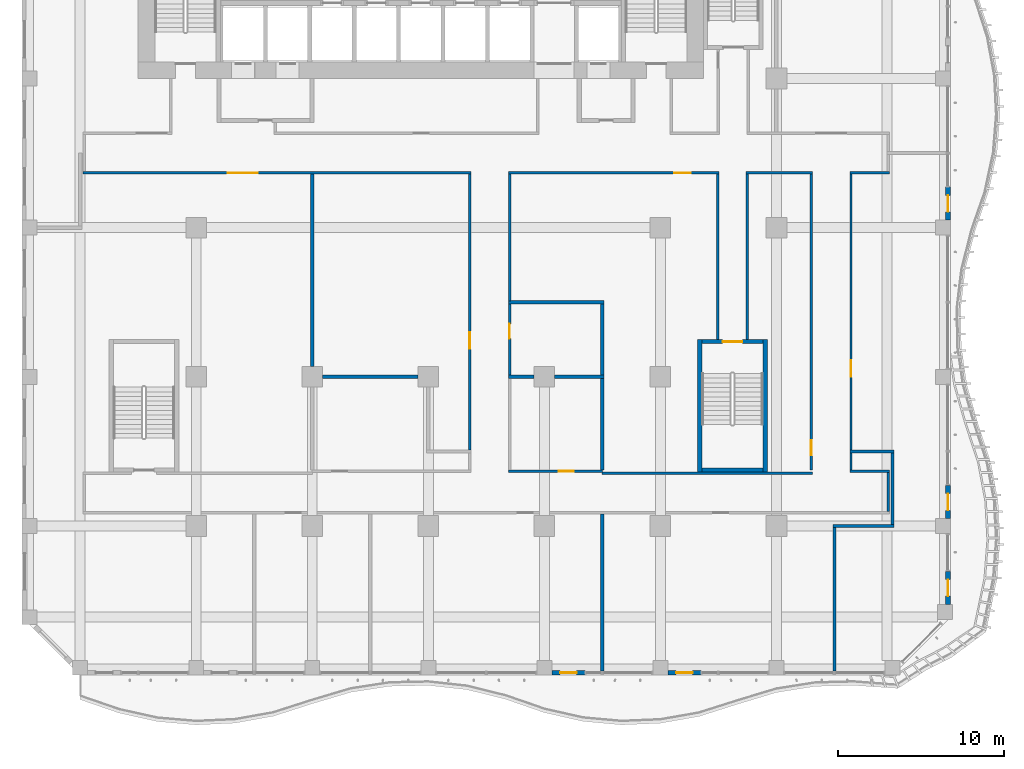
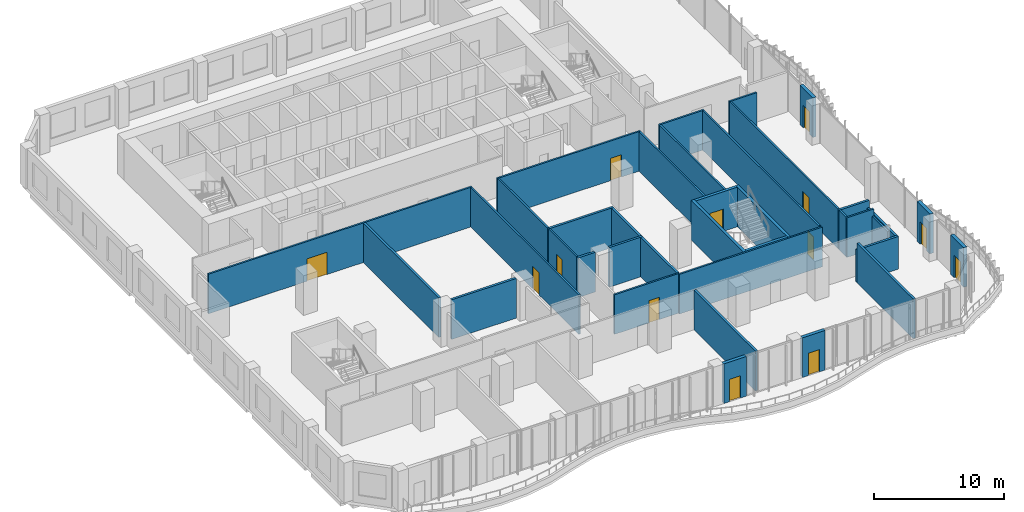
# One storey, part 14 of 28: 37 walls, 13 doors, 13 openings.
"""IFC4 building model written with IfcOpenShell, lengths in metres."""

from ifc_helpers import new_model, si_unit, direction, frame, frame_2d, origin, place, context, subcontext, project, spatial, rectangle, extrude, source, transform, mapped, material, layer, layer_set, type_object, element, fill, save


model = new_model("IFC4")

# Units and contexts
model_context = context("Model", 3, precision=1e-05, world=origin(), true_north=direction((0.0, 1.0)))
body_context = subcontext(model_context, "Body", "Model", "MODEL_VIEW")
ifc_project = project(units=[si_unit("LENGTHUNIT", "METRE"), si_unit("AREAUNIT", "SQUARE_METRE"), si_unit("VOLUMEUNIT", "CUBIC_METRE"), si_unit("PLANEANGLEUNIT", "RADIAN"), si_unit("MASSUNIT", "GRAM", prefix="KILO")], contexts=[model_context])

# Site, building, storey
site_placement = place(None, origin())
site = spatial("IfcSite", under=ifc_project, at=site_placement, CompositionType="ELEMENT")
building_placement = place(site_placement, origin())
building = spatial("IfcBuilding", under=site, at=building_placement, Name="Kilnfold Tower and Market Hall", CompositionType="ELEMENT")
storey_placement = place(building_placement, frame((0.0, 0.0, 75.199951171875)))
storey = spatial("IfcBuildingStorey", under=building, at=storey_placement, Name="L17", CompositionType="ELEMENT", Elevation=75.199951171875)

# Wall, opening, door
ifc_material_1 = material(Name="Gypsum board on steel studs", Category="steel")
ifc_layer_1 = layer(ifc_material_1, 0.14990234375)
ifc_layer_set_1 = layer_set([ifc_layer_1], Name="Gypsum board on steel studs")
wall_type_1 = type_object("IfcWallType", Name="WALL CORRIDOR 150", PredefinedType="PARTITIONING", material=ifc_layer_set_1)
wall_1_placement = place(storey_placement, frame((-19.324951171875, 2.300048828125, 0.0), z_axis=(0.0, 0.0, 1.0), x_axis=(1.0, 0.0, 0.0)))
wall_1 = element("IfcWall", 1, at=wall_1_placement, inside=storey, type_object=wall_type_1, Name="Partition LY13.5", PredefinedType="PARTITIONING", context=body_context, shape_type="SweptSolid", body=[
    extrude(rectangle(XDim=23.39990234375, YDim=0.14990234375, at=frame_2d((11.699951171875, 0.0))), origin(), (0.0, 0.0, 1.0), 3.719970703125),
])
opening_1_placement = place(wall_1_placement, frame((8.72607421875, 0.0, 0.0)))
opening_1 = element("IfcOpeningElement", 2, at=opening_1_placement, cuts=wall_1, Name="Opening D5", PredefinedType="OPENING", context=body_context, shape_type="SweptSolid", body=[
    extrude(rectangle(XDim=1.800048828125, YDim=2.10009765625, at=frame_2d((0.89990234375, 1.050048828125))), frame((0.0, 0.0849609375, 0.0), z_axis=(0.0, -1.0, 0.0), x_axis=(1.0, 0.0, 0.0)), (0.0, 0.0, 1.0), 0.169921875),
])
ifc_material_2 = material(Name="Timber veneer door leaf in steel frame", Category="steel")
door_type_1 = type_object("IfcDoorType", Name="DOOR DOUBLE 1800 X2100", OperationType="NOTDEFINED", PredefinedType="DOOR", material=ifc_material_2)
door_1_placement = place(opening_1_placement, origin())
door_1 = element("IfcDoor", 3, at=door_1_placement, inside=storey, type_object=door_type_1, Name="Door D5", OperationType="DOUBLE_DOOR_SINGLE_SWING", OverallHeight=2.10009765625, OverallWidth=1.800048828125, PredefinedType="DOOR", context=body_context, shape_type="SweptSolid", body=[
    extrude(rectangle(XDim=1.800048828125, YDim=2.10009765625, at=frame_2d((0.89990234375, 1.050048828125))), frame((0.0, 0.02490234375, 0.0), z_axis=(0.0, -1.0, 0.0), x_axis=(1.0, 0.0, 0.0)), (0.0, 0.0, 1.0), 0.050048828125),
])
fill(opening_1, door_1)

wall_2_placement = place(storey_placement, frame((4.0, -14.409912109375, 0.0), z_axis=(0.0, 0.0, 1.0), x_axis=(0.0, 1.0, 0.0)))
wall_2 = element("IfcWall", 4, at=wall_2_placement, inside=storey, type_object=wall_type_1, Name="Partition LY13.14", PredefinedType="PARTITIONING", context=body_context, shape_type="SweptSolid", body=[
    extrude(rectangle(XDim=16.635009765625, YDim=0.14990234375, at=frame_2d((8.3173828125, 0.0))), origin(), (0.0, 0.0, 1.0), 3.719970703125),
])
opening_2_placement = place(wall_2_placement, frame((6.114013671875, 0.0, 0.0)))
opening_2 = element("IfcOpeningElement", 5, at=opening_2_placement, cuts=wall_2, Name="Opening D1", PredefinedType="OPENING", context=body_context, shape_type="SweptSolid", body=[
    extrude(rectangle(XDim=1.0, YDim=2.10009765625, at=frame_2d((0.5, 1.050048828125))), frame((0.0, 0.0849609375, 0.0), z_axis=(0.0, -1.0, 0.0), x_axis=(1.0, 0.0, 0.0)), (0.0, 0.0, 1.0), 0.169921875),
])
ifc_material_3 = material(Name="Timber veneer door leaf in steel frame", Category="steel")
door_type_2 = type_object("IfcDoorType", Name="DOOR ENTRY 1000 X2100", OperationType="NOTDEFINED", PredefinedType="DOOR", material=ifc_material_3)
door_2_placement = place(opening_2_placement, origin())
door_2 = element("IfcDoor", 6, at=door_2_placement, inside=storey, type_object=door_type_2, Name="Door D1", OperationType="SINGLE_SWING_RIGHT", OverallHeight=2.10009765625, OverallWidth=1.0, PredefinedType="DOOR", context=body_context, shape_type="SweptSolid", body=[
    extrude(rectangle(XDim=1.0, YDim=2.10009765625, at=frame_2d((0.5, 1.050048828125))), frame((0.0, 0.02490234375, 0.0), z_axis=(0.0, -1.0, 0.0), x_axis=(1.0, 0.0, 0.0)), (0.0, 0.0, 1.0), 0.050048828125),
])
fill(opening_2, door_2)

# Walls
wall_3_placement = place(storey_placement, frame((27.0, -15.625, 0.0), z_axis=(0.0, 0.0, 1.0), x_axis=(0.0, 1.0, 0.0)))
element("IfcWall", 7, at=wall_3_placement, inside=storey, type_object=wall_type_1, Name="Partition LY13.15", PredefinedType="PARTITIONING", context=body_context, shape_type="SweptSolid", body=[
    extrude(rectangle(XDim=1.034912109375, YDim=0.14990234375, at=frame_2d((0.517578125, 0.0))), origin(), (0.0, 0.0, 1.0), 3.719970703125),
])
wall_4_placement = place(storey_placement, frame((26.925048828125, -15.699951171875, 0.0), z_axis=(0.0, 0.0, 1.0), x_axis=(1.0, 0.0, 0.0)))
element("IfcWall", 8, at=wall_4_placement, inside=storey, type_object=wall_type_1, Name="Partition LY13.16", PredefinedType="PARTITIONING", context=body_context, shape_type="SweptSolid", body=[
    extrude(rectangle(XDim=2.39990234375, YDim=0.14990234375, at=frame_2d((1.199951171875, 0.0))), origin(), (0.0, 0.0, 1.0), 3.719970703125),
])
wall_5_placement = place(storey_placement, frame((29.25, -18.125, 0.0), z_axis=(0.0, 0.0, 1.0), x_axis=(0.0, 1.0, 0.0)))
element("IfcWall", 9, at=wall_5_placement, inside=storey, type_object=wall_type_1, Name="Partition LY13.17", PredefinedType="PARTITIONING", context=body_context, shape_type="SweptSolid", body=[
    extrude(rectangle(XDim=2.35009765625, YDim=0.14990234375, at=frame_2d((1.175048828125, 0.0))), origin(), (0.0, 0.0, 1.0), 3.070068359375),
])

# Wall, opening, door
wall_6_placement = place(storey_placement, frame((6.324951171875, -15.699951171875, 0.0), z_axis=(0.0, 0.0, 1.0), x_axis=(1.0, 0.0, 0.0)))
wall_6 = element("IfcWall", 10, at=wall_6_placement, inside=storey, type_object=wall_type_1, Name="Partition LY13.19", PredefinedType="PARTITIONING", context=body_context, shape_type="SweptSolid", body=[
    extrude(rectangle(XDim=5.68505859375, YDim=0.14990234375, at=frame_2d((2.842529296875, 0.0))), origin(), (0.0, 0.0, 1.0), 3.719970703125),
])
opening_3_placement = place(wall_6_placement, frame((3.054931640625, 0.0, 0.0)))
opening_3 = element("IfcOpeningElement", 11, at=opening_3_placement, cuts=wall_6, Name="Opening D3", PredefinedType="OPENING", context=body_context, shape_type="SweptSolid", body=[
    extrude(rectangle(XDim=0.89990234375, YDim=2.10009765625, at=frame_2d((0.449951171875, 1.050048828125))), frame((0.0, 0.0849609375, 0.0), z_axis=(0.0, -1.0, 0.0), x_axis=(1.0, 0.0, 0.0)), (0.0, 0.0, 1.0), 0.169921875),
])
ifc_material_4 = material(Name="Timber veneer door leaf in steel frame", Category="steel")
door_type_3 = type_object("IfcDoorType", Name="DOOR WC 900 X2100", OperationType="NOTDEFINED", PredefinedType="DOOR", material=ifc_material_4)
door_3_placement = place(opening_3_placement, origin())
door_3 = element("IfcDoor", 12, at=door_3_placement, inside=storey, type_object=door_type_3, Name="Door D3", OperationType="SINGLE_SWING_RIGHT", OverallHeight=2.10009765625, OverallWidth=0.89990234375, PredefinedType="DOOR", context=body_context, shape_type="SweptSolid", body=[
    extrude(rectangle(XDim=0.89990234375, YDim=2.10009765625, at=frame_2d((0.449951171875, 1.050048828125))), frame((0.0, 0.02490234375, 0.0), z_axis=(0.0, -1.0, 0.0), x_axis=(1.0, 0.0, 0.0)), (0.0, 0.0, 1.0), 0.050048828125),
])
fill(opening_3, door_3)

wall_7_placement = place(storey_placement, frame((6.39990234375, -9.909912109375, 0.0), z_axis=(0.0, 0.0, 1.0), x_axis=(0.0, 1.0, 0.0)))
wall_7 = element("IfcWall", 13, at=wall_7_placement, inside=storey, type_object=wall_type_1, Name="Partition LY13.20", PredefinedType="PARTITIONING", context=body_context, shape_type="SweptSolid", body=[
    extrude(rectangle(XDim=4.31982421875, YDim=0.14990234375, at=frame_2d((2.159912109375, 0.0))), origin(), (0.0, 0.0, 1.0), 3.719970703125),
])
opening_4_placement = place(wall_7_placement, frame((2.212890625, 0.0, 0.0)))
opening_4 = element("IfcOpeningElement", 14, at=opening_4_placement, cuts=wall_7, Name="Opening D2", PredefinedType="OPENING", context=body_context, shape_type="SweptSolid", body=[
    extrude(rectangle(XDim=0.89990234375, YDim=2.10009765625, at=frame_2d((0.449951171875, 1.050048828125))), frame((0.0, 0.0849609375, 0.0), z_axis=(0.0, -1.0, 0.0), x_axis=(1.0, 0.0, 0.0)), (0.0, 0.0, 1.0), 0.169921875),
])
ifc_material_5 = material(Name="Timber veneer door leaf in steel frame", Category="steel")
door_type_4 = type_object("IfcDoorType", Name="DOOR ROOM 900 X2100", OperationType="NOTDEFINED", PredefinedType="DOOR", material=ifc_material_5)
door_4_placement = place(opening_4_placement, origin())
door_4 = element("IfcDoor", 15, at=door_4_placement, inside=storey, type_object=door_type_4, Name="Door D2", OperationType="SINGLE_SWING_LEFT", OverallHeight=2.10009765625, OverallWidth=0.89990234375, PredefinedType="DOOR", context=body_context, shape_type="SweptSolid", body=[
    extrude(rectangle(XDim=0.89990234375, YDim=2.10009765625, at=frame_2d((0.449951171875, 1.050048828125))), frame((0.0, 0.02490234375, 0.0), z_axis=(0.0, -1.0, 0.0), x_axis=(1.0, 0.0, 0.0)), (0.0, 0.0, 1.0), 0.050048828125),
])
fill(opening_4, door_4)

# Wall
wall_8_placement = place(storey_placement, frame((18.949951171875, 2.22509765625, 0.0), z_axis=(0.0, 0.0, 1.0), x_axis=(0.0, -1.0, 0.0)))
element("IfcWall", 16, at=wall_8_placement, inside=storey, type_object=wall_type_1, Name="Partition LY13.21", PredefinedType="PARTITIONING", context=body_context, shape_type="SweptSolid", body=[
    extrude(rectangle(XDim=9.97509765625, YDim=0.14990234375, at=frame_2d((4.987548828125, 0.0))), origin(), (0.0, 0.0, 1.0), 3.719970703125),
])

# Wall, opening, door
wall_9_placement = place(storey_placement, frame((6.324951171875, 2.300048828125, 0.0), z_axis=(0.0, 0.0, 1.0), x_axis=(1.0, 0.0, 0.0)))
wall_9 = element("IfcWall", 17, at=wall_9_placement, inside=storey, type_object=wall_type_1, Name="Partition LY13.22", PredefinedType="PARTITIONING", context=body_context, shape_type="SweptSolid", body=[
    extrude(rectangle(XDim=12.699951171875, YDim=0.14990234375, at=frame_2d((6.35009765625, 0.0))), origin(), (0.0, 0.0, 1.0), 3.719970703125),
])
opening_5_placement = place(wall_9_placement, frame((10.0, 0.0, 0.0)))
opening_5 = element("IfcOpeningElement", 18, at=opening_5_placement, cuts=wall_9, Name="Opening D1", PredefinedType="OPENING", context=body_context, shape_type="SweptSolid", body=[
    extrude(rectangle(XDim=1.0, YDim=2.10009765625, at=frame_2d((0.5, 1.050048828125))), frame((0.0, 0.0849609375, 0.0), z_axis=(0.0, -1.0, 0.0), x_axis=(1.0, 0.0, 0.0)), (0.0, 0.0, 1.0), 0.169921875),
])
door_5_placement = place(opening_5_placement, origin())
door_5 = element("IfcDoor", 19, at=door_5_placement, inside=storey, type_object=door_type_2, Name="Door D1", OperationType="SINGLE_SWING_LEFT", OverallHeight=2.10009765625, OverallWidth=1.0, PredefinedType="DOOR", context=body_context, shape_type="SweptSolid", body=[
    extrude(rectangle(XDim=1.0, YDim=2.10009765625, at=frame_2d((0.5, 1.050048828125))), frame((0.0, 0.02490234375, 0.0), z_axis=(0.0, -1.0, 0.0), x_axis=(1.0, 0.0, 0.0)), (0.0, 0.0, 1.0), 0.050048828125),
])
fill(opening_5, door_5)

# Walls
wall_10_placement = place(storey_placement, frame((6.39990234375, -5.409912109375, 0.0), z_axis=(0.0, 0.0, 1.0), x_axis=(0.0, 1.0, 0.0)))
element("IfcWall", 20, at=wall_10_placement, inside=storey, type_object=wall_type_1, Name="Partition LY13.23", PredefinedType="PARTITIONING", context=body_context, shape_type="SweptSolid", body=[
    extrude(rectangle(XDim=7.635009765625, YDim=0.14990234375, at=frame_2d((3.8173828125, 0.0))), origin(), (0.0, 0.0, 1.0), 3.719970703125),
])
wall_11_placement = place(storey_placement, frame((11.989990234375, -15.824951171875, 0.0), z_axis=(0.0, 0.0, 1.0), x_axis=(1.0, 0.0, 0.0)))
element("IfcWall", 21, at=wall_11_placement, inside=storey, type_object=wall_type_1, Name="Partition LY13.24", PredefinedType="PARTITIONING", context=body_context, shape_type="SweptSolid", body=[
    extrude(rectangle(XDim=12.68505859375, YDim=0.14990234375, at=frame_2d((6.342529296875, 0.0))), origin(), (0.0, 0.0, 1.0), 3.719970703125),
])

# Wall, opening, door
wall_12_placement = place(storey_placement, frame((24.60009765625, 2.22509765625, 0.0), z_axis=(0.0, 0.0, 1.0), x_axis=(0.0, -1.0, 0.0)))
wall_12 = element("IfcWall", 22, at=wall_12_placement, inside=storey, type_object=wall_type_1, Name="Partition LY13.31", PredefinedType="PARTITIONING", context=body_context, shape_type="SweptSolid", body=[
    extrude(rectangle(XDim=17.85009765625, YDim=0.14990234375, at=frame_2d((8.925048828125, 0.0))), origin(), (0.0, 0.0, 1.0), 3.719970703125),
])
opening_6_placement = place(wall_12_placement, frame((16.048095703125, 0.0, 0.0)))
opening_6 = element("IfcOpeningElement", 23, at=opening_6_placement, cuts=wall_12, Name="Opening D2", PredefinedType="OPENING", context=body_context, shape_type="SweptSolid", body=[
    extrude(rectangle(XDim=0.89990234375, YDim=2.10009765625, at=frame_2d((0.449951171875, 1.050048828125))), frame((0.0, 0.0849609375, 0.0), z_axis=(0.0, -1.0, 0.0), x_axis=(1.0, 0.0, 0.0)), (0.0, 0.0, 1.0), 0.169921875),
])
door_6_placement = place(opening_6_placement, origin())
door_6 = element("IfcDoor", 24, at=door_6_placement, inside=storey, type_object=door_type_4, Name="Door D2", OperationType="SINGLE_SWING_LEFT", OverallHeight=2.10009765625, OverallWidth=0.89990234375, PredefinedType="DOOR", context=body_context, shape_type="SweptSolid", body=[
    extrude(rectangle(XDim=0.89990234375, YDim=2.10009765625, at=frame_2d((0.449951171875, 1.050048828125))), frame((0.0, 0.02490234375, 0.0), z_axis=(0.0, -1.0, 0.0), x_axis=(1.0, 0.0, 0.0)), (0.0, 0.0, 1.0), 0.050048828125),
])
fill(opening_6, door_6)

# Walls
wall_13_placement = place(storey_placement, frame((20.675048828125, 2.300048828125, 0.0), z_axis=(0.0, 0.0, 1.0), x_axis=(1.0, 0.0, 0.0)))
element("IfcWall", 25, at=wall_13_placement, inside=storey, type_object=wall_type_1, Name="Partition LY13.32", PredefinedType="PARTITIONING", context=body_context, shape_type="SweptSolid", body=[
    extrude(rectangle(XDim=4.0, YDim=0.14990234375, at=frame_2d((2.0, 0.0))), origin(), (0.0, 0.0, 1.0), 3.719970703125),
])
wall_14_placement = place(storey_placement, frame((20.75, -7.75, 0.0), z_axis=(0.0, 0.0, 1.0), x_axis=(0.0, 1.0, 0.0)))
element("IfcWall", 26, at=wall_14_placement, inside=storey, type_object=wall_type_1, Name="Partition LY13.33", PredefinedType="PARTITIONING", context=body_context, shape_type="SweptSolid", body=[
    extrude(rectangle(XDim=9.97509765625, YDim=0.14990234375, at=frame_2d((4.987548828125, 0.0))), origin(), (0.0, 0.0, 1.0), 3.719970703125),
])
wall_15_placement = place(storey_placement, frame((26.925048828125, 2.300048828125, 0.0), z_axis=(0.0, 0.0, 1.0), x_axis=(1.0, 0.0, 0.0)))
element("IfcWall", 27, at=wall_15_placement, inside=storey, type_object=wall_type_1, Name="Partition LY13.35", PredefinedType="PARTITIONING", context=body_context, shape_type="SweptSolid", body=[
    extrude(rectangle(XDim=2.39990234375, YDim=0.14990234375, at=frame_2d((1.199951171875, 0.0))), origin(), (0.0, 0.0, 1.0), 3.719970703125),
])

# Wall, opening, door
wall_16_placement = place(storey_placement, frame((27.0, -14.409912109375, 0.0), z_axis=(0.0, 0.0, 1.0), x_axis=(0.0, 1.0, 0.0)))
wall_16 = element("IfcWall", 28, at=wall_16_placement, inside=storey, type_object=wall_type_1, Name="Partition LY13.36", PredefinedType="PARTITIONING", context=body_context, shape_type="SweptSolid", body=[
    extrude(rectangle(XDim=16.635009765625, YDim=0.14990234375, at=frame_2d((8.3173828125, 0.0))), origin(), (0.0, 0.0, 1.0), 3.719970703125),
])
opening_7_placement = place(wall_16_placement, frame((4.409912109375, 0.0, 0.0)))
opening_7 = element("IfcOpeningElement", 29, at=opening_7_placement, cuts=wall_16, Name="Opening D1", PredefinedType="OPENING", context=body_context, shape_type="SweptSolid", body=[
    extrude(rectangle(XDim=1.0, YDim=2.10009765625, at=frame_2d((0.5, 1.050048828125))), frame((0.0, 0.0849609375, 0.0), z_axis=(0.0, -1.0, 0.0), x_axis=(1.0, 0.0, 0.0)), (0.0, 0.0, 1.0), 0.169921875),
])
door_7_placement = place(opening_7_placement, origin())
door_7 = element("IfcDoor", 30, at=door_7_placement, inside=storey, type_object=door_type_2, Name="Door D1", OperationType="SINGLE_SWING_LEFT", OverallHeight=2.10009765625, OverallWidth=1.0, PredefinedType="DOOR", context=body_context, shape_type="SweptSolid", body=[
    extrude(rectangle(XDim=1.0, YDim=2.10009765625, at=frame_2d((0.5, 1.050048828125))), frame((0.0, 0.02490234375, 0.0), z_axis=(0.0, -1.0, 0.0), x_axis=(1.0, 0.0, 0.0)), (0.0, 0.0, 1.0), 0.050048828125),
])
fill(opening_7, door_7)

# Walls
ifc_material_6 = material(Name="Gypsum board on steel studs", Category="steel")
ifc_layer_2 = layer(ifc_material_6, 0.199951171875)
ifc_layer_set_2 = layer_set([ifc_layer_2], Name="Gypsum board on steel studs")
wall_type_2 = type_object("IfcWallType", Name="WALL PARTY 200", PredefinedType="PARTITIONING", material=ifc_layer_set_2)
wall_17_placement = place(storey_placement, frame((-5.5, -9.375, 0.0), z_axis=(0.0, 0.0, 1.0), x_axis=(0.0, 1.0, 0.0)))
element("IfcWall", 31, at=wall_17_placement, inside=storey, type_object=wall_type_2, Name="Partition LY13.41", PredefinedType="PARTITIONING", context=body_context, shape_type="SweptSolid", body=[
    extrude(rectangle(XDim=11.59912109375, YDim=0.199951171875, at=frame_2d((5.799560546875, 0.0))), origin(), (0.0, 0.0, 1.0), 3.719970703125),
])
wall_18_placement = place(storey_placement, frame((-4.875, -10.0, 0.0), z_axis=(0.0, 0.0, 1.0), x_axis=(1.0, 0.0, 0.0)))
element("IfcWall", 32, at=wall_18_placement, inside=storey, type_object=wall_type_2, Name="Partition LY13.44", PredefinedType="PARTITIONING", context=body_context, shape_type="SweptSolid", body=[
    extrude(rectangle(XDim=5.75, YDim=0.199951171875, at=frame_2d((2.875, 0.0))), origin(), (0.0, 0.0, 1.0), 3.719970703125),
])
wall_19_placement = place(storey_placement, frame((12.0, -27.75, 0.0), z_axis=(0.0, 0.0, 1.0), x_axis=(0.0, 1.0, 0.0)))
element("IfcWall", 33, at=wall_19_placement, inside=storey, type_object=wall_type_2, Name="Partition LY13.47", PredefinedType="PARTITIONING", context=body_context, shape_type="SweptSolid", body=[
    extrude(rectangle(XDim=9.47412109375, YDim=0.199951171875, at=frame_2d((4.737060546875, 0.0))), origin(), (0.0, 0.0, 1.0), 3.719970703125),
])
wall_20_placement = place(storey_placement, frame((26.926025390625, -14.5, 0.0), z_axis=(0.0, 0.0, 1.0), x_axis=(1.0, 0.0, 0.0)))
element("IfcWall", 34, at=wall_20_placement, inside=storey, type_object=wall_type_2, Name="Partition LY13.48", PredefinedType="PARTITIONING", context=body_context, shape_type="SweptSolid", body=[
    extrude(rectangle(XDim=2.674072265625, YDim=0.199951171875, at=frame_2d((1.3369140625, 0.0))), origin(), (0.0, 0.0, 1.0), 3.719970703125),
])
wall_21_placement = place(storey_placement, frame((29.5, -18.89990234375, 0.0), z_axis=(0.0, 0.0, 1.0), x_axis=(0.0, 1.0, 0.0)))
element("IfcWall", 35, at=wall_21_placement, inside=storey, type_object=wall_type_2, Name="Partition LY13.49", PredefinedType="PARTITIONING", context=body_context, shape_type="SweptSolid", body=[
    extrude(rectangle(XDim=4.2998046875, YDim=0.199951171875, at=frame_2d((2.14990234375, 0.0))), origin(), (0.0, 0.0, 1.0), 3.070068359375),
])
wall_22_placement = place(storey_placement, frame((25.89990234375, -19.0, 0.0), z_axis=(0.0, 0.0, 1.0), x_axis=(1.0, 0.0, 0.0)))
element("IfcWall", 36, at=wall_22_placement, inside=storey, type_object=wall_type_2, Name="Partition LY13.50", PredefinedType="PARTITIONING", context=body_context, shape_type="SweptSolid", body=[
    extrude(rectangle(XDim=3.7001953125, YDim=0.199951171875, at=frame_2d((1.85009765625, 0.0))), origin(), (0.0, 0.0, 1.0), 3.070068359375),
])
wall_23_placement = place(storey_placement, frame((26.0, -27.75, 0.0), z_axis=(0.0, 0.0, 1.0), x_axis=(0.0, 1.0, 0.0)))
element("IfcWall", 37, at=wall_23_placement, inside=storey, type_object=wall_type_2, Name="Partition LY13.51", PredefinedType="PARTITIONING", context=body_context, shape_type="SweptSolid", body=[
    extrude(rectangle(XDim=8.64990234375, YDim=0.199951171875, at=frame_2d((4.324951171875, 0.0))), origin(), (0.0, 0.0, 1.0), 3.719970703125),
])
wall_24_placement = place(storey_placement, frame((6.325927734375, -10.0, 0.0), z_axis=(0.0, 0.0, 1.0), x_axis=(1.0, 0.0, 0.0)))
element("IfcWall", 38, at=wall_24_placement, inside=storey, type_object=wall_type_2, Name="Partition LY13.52", PredefinedType="PARTITIONING", context=body_context, shape_type="SweptSolid", body=[
    extrude(rectangle(XDim=1.549072265625, YDim=0.199951171875, at=frame_2d((0.7744140625, 0.0))), origin(), (0.0, 0.0, 1.0), 3.719970703125),
])
wall_25_placement = place(storey_placement, frame((9.125, -10.0, 0.0), z_axis=(0.0, 0.0, 1.0), x_axis=(1.0, 0.0, 0.0)))
element("IfcWall", 39, at=wall_25_placement, inside=storey, type_object=wall_type_2, Name="Partition LY13.53", PredefinedType="PARTITIONING", context=body_context, shape_type="SweptSolid", body=[
    extrude(rectangle(XDim=2.97509765625, YDim=0.199951171875, at=frame_2d((1.487548828125, 0.0))), origin(), (0.0, 0.0, 1.0), 3.719970703125),
])
wall_26_placement = place(storey_placement, frame((12.0, -15.6240234375, 0.0), z_axis=(0.0, 0.0, 1.0), x_axis=(0.0, 1.0, 0.0)))
element("IfcWall", 40, at=wall_26_placement, inside=storey, type_object=wall_type_2, Name="Partition LY13.54", PredefinedType="PARTITIONING", context=body_context, shape_type="SweptSolid", body=[
    extrude(rectangle(XDim=5.52392578125, YDim=0.199951171875, at=frame_2d((2.761962890625, 0.0))), origin(), (0.0, 0.0, 1.0), 3.719970703125),
])
wall_27_placement = place(storey_placement, frame((12.10009765625, -5.5, 0.0), z_axis=(0.0, 0.0, 1.0), x_axis=(-1.0, 0.0, 0.0)))
element("IfcWall", 41, at=wall_27_placement, inside=storey, type_object=wall_type_2, Name="Partition LY13.55", PredefinedType="PARTITIONING", context=body_context, shape_type="SweptSolid", body=[
    extrude(rectangle(XDim=5.774169921875, YDim=0.199951171875, at=frame_2d((2.88720703125, 0.0))), origin(), (0.0, 0.0, 1.0), 3.719970703125),
])
wall_28_placement = place(storey_placement, frame((12.0, -9.89990234375, 0.0), z_axis=(0.0, 0.0, 1.0), x_axis=(0.0, 1.0, 0.0)))
element("IfcWall", 42, at=wall_28_placement, inside=storey, type_object=wall_type_2, Name="Partition LY13.56", PredefinedType="PARTITIONING", context=body_context, shape_type="SweptSolid", body=[
    extrude(rectangle(XDim=4.2998046875, YDim=0.199951171875, at=frame_2d((2.14990234375, 0.0))), origin(), (0.0, 0.0, 1.0), 3.719970703125),
])
ifc_material_7 = material(Name="Concrete C80", Category="concrete")
ifc_layer_3 = layer(ifc_material_7, 0.25)
ifc_layer_set_3 = layer_set([ifc_layer_3], Name="Concrete C80")
wall_type_3 = type_object("IfcWallType", Name="CORE WALL 250 C80", PredefinedType="SHEAR", material=ifc_layer_set_3)
shared_shape_1 = source(origin(), body_context, "Body", "SweptSolid", [
    extrude(rectangle(XDim=3.699951171875, YDim=0.25, at=frame_2d((1.85009765625, 0.0))), origin(), (0.0, 0.0, 1.0), 3.719970703125),
])
wall_29_placement = place(storey_placement, frame((18.0, -15.625, 0.0), z_axis=(0.0, 0.0, 1.0), x_axis=(1.0, 0.0, 0.0)))
element("IfcWall", 43, at=wall_29_placement, inside=storey, type_object=wall_type_3, Name="Stair enclosure ST4", PredefinedType="SHEAR", context=body_context, shape_type="MappedRepresentation", body=[
    mapped(shared_shape_1, transform((0.0, 0.0, 0.0))),
])

# Wall, opening, door
wall_30_placement = place(storey_placement, frame((18.0, -7.875, 0.0), z_axis=(0.0, 0.0, 1.0), x_axis=(1.0, 0.0, 0.0)))
wall_30 = element("IfcWall", 44, at=wall_30_placement, inside=storey, type_object=wall_type_3, Name="Stair enclosure ST4", PredefinedType="SHEAR", context=body_context, shape_type="MappedRepresentation", body=[
    mapped(shared_shape_1, transform((0.0, 0.0, 0.0))),
])
opening_8_placement = place(wall_30_placement, frame((1.25, 0.0, 0.0)))
opening_8 = element("IfcOpeningElement", 45, at=opening_8_placement, cuts=wall_30, Name="Opening SD1", PredefinedType="OPENING", context=body_context, shape_type="SweptSolid", body=[
    extrude(rectangle(XDim=1.199951171875, YDim=2.10009765625, at=frame_2d((0.60009765625, 1.050048828125))), frame((0.0, 0.135009765625, 0.0), z_axis=(0.0, -1.0, 0.0), x_axis=(1.0, 0.0, 0.0)), (0.0, 0.0, 1.0), 0.27001953125),
])
ifc_material_8 = material(Name="Steel door set with fire-resisting leaf", Category="steel")
door_type_5 = type_object("IfcDoorType", Name="STAIR FLOOR DOOR 1200X2100", OperationType="NOTDEFINED", PredefinedType="DOOR", material=ifc_material_8)
door_8_placement = place(opening_8_placement, origin())
door_8 = element("IfcDoor", 46, at=door_8_placement, inside=storey, type_object=door_type_5, Name="Exit stair ST4 door", OperationType="DOUBLE_DOOR_SINGLE_SWING", OverallHeight=2.10009765625, OverallWidth=1.199951171875, PredefinedType="DOOR", context=body_context, shape_type="SweptSolid", body=[
    extrude(rectangle(XDim=1.199951171875, YDim=2.10009765625, at=frame_2d((0.60009765625, 1.050048828125))), frame((0.0, 0.02490234375, 0.0), z_axis=(0.0, -1.0, 0.0), x_axis=(1.0, 0.0, 0.0)), (0.0, 0.0, 1.0), 0.050048828125),
])
fill(opening_8, door_8)

# Walls
shared_shape_2 = source(origin(), body_context, "Body", "SweptSolid", [
    extrude(rectangle(XDim=8.0, YDim=0.25, at=frame_2d((4.0, 0.0))), origin(), (0.0, 0.0, 1.0), 3.719970703125),
])
for number, where, z_axis, x_axis, name in (
    (47, (17.875, -15.75, 0.0), (0.0, 0.0, 1.0), (0.0, 1.0, 0.0), "Stair enclosure ST4"),
    (48, (21.824951171875, -15.75, 0.0), (0.0, 0.0, 1.0), (0.0, 1.0, 0.0), "Stair enclosure ST4"),
):
    element("IfcWall", number, at=place(storey_placement, frame(where, z_axis=z_axis, x_axis=x_axis)), inside=storey, type_object=wall_type_3, Name=name, PredefinedType="SHEAR", context=body_context, shape_type="MappedRepresentation", body=[
        mapped(shared_shape_2, transform((0.0, 0.0, 0.0))),
    ])

# Wall, opening, door
ifc_material_9 = material(Name="Precast concrete C50/60", Category="concrete")
ifc_layer_4 = layer(ifc_material_9, 0.300048828125)
ifc_layer_set_4 = layer_set([ifc_layer_4], Name="Precast concrete C50/60")
wall_type_4 = type_object("IfcWallType", Name="PRECAST WALL 300", PredefinedType="SOLIDWALL", material=ifc_layer_set_4)
shared_shape_3 = source(origin(), body_context, "Body", "SweptSolid", [
    extrude(rectangle(XDim=2.0, YDim=0.300048828125, at=frame_2d((1.0, 0.0))), origin(), (0.0, 0.0, 1.0), 3.719970703125),
])
wall_31_placement = place(storey_placement, frame((8.949951171875, -27.85009765625, 0.0), z_axis=(0.0, 0.0, 1.0), x_axis=(1.0, 0.0, 0.0)))
wall_31 = element("IfcWall", 49, at=wall_31_placement, inside=storey, type_object=wall_type_4, Name="External wall L17 S", PredefinedType="SOLIDWALL", context=body_context, shape_type="MappedRepresentation", body=[
    mapped(shared_shape_3, transform((0.0, 0.0, 0.0))),
])
opening_9_placement = place(wall_31_placement, frame((0.5, 0.0, 0.0)))
opening_9 = element("IfcOpeningElement", 50, at=opening_9_placement, cuts=wall_31, Name="Opening BD1", PredefinedType="OPENING", context=body_context, shape_type="SweptSolid", body=[
    extrude(rectangle(XDim=1.0, YDim=2.10009765625, at=frame_2d((0.5, 1.050048828125))), frame((0.0, 0.16015625, 0.0), z_axis=(0.0, -1.0, 0.0), x_axis=(1.0, 0.0, 0.0)), (0.0, 0.0, 1.0), 0.320068359375),
])
ifc_material_10 = material(Name="Aluminium frame and double glazing", Category="aluminium")
door_type_6 = type_object("IfcDoorType", Name="BALCONY DOOR 1000X2100", OperationType="NOTDEFINED", PredefinedType="DOOR", material=ifc_material_10)
door_9_placement = place(opening_9_placement, origin())
door_9 = element("IfcDoor", 51, at=door_9_placement, inside=storey, type_object=door_type_6, Name="Balcony door BD1 L17 S-1", OperationType="SINGLE_SWING_LEFT", OverallHeight=2.10009765625, OverallWidth=1.0, PredefinedType="DOOR", context=body_context, shape_type="SweptSolid", body=[
    extrude(rectangle(XDim=1.0, YDim=2.10009765625, at=frame_2d((0.5, 1.050048828125))), frame((0.0, 0.02490234375, 0.0), z_axis=(0.0, -1.0, 0.0), x_axis=(1.0, 0.0, 0.0)), (0.0, 0.0, 1.0), 0.050048828125),
])
fill(opening_9, door_9)

wall_32_placement = place(storey_placement, frame((15.949951171875, -27.85009765625, 0.0), z_axis=(0.0, 0.0, 1.0), x_axis=(1.0, 0.0, 0.0)))
wall_32 = element("IfcWall", 52, at=wall_32_placement, inside=storey, type_object=wall_type_4, Name="External wall L17 S", PredefinedType="SOLIDWALL", context=body_context, shape_type="MappedRepresentation", body=[
    mapped(shared_shape_3, transform((0.0, 0.0, 0.0))),
])
opening_10_placement = place(wall_32_placement, frame((0.5, 0.0, 0.0)))
opening_10 = element("IfcOpeningElement", 53, at=opening_10_placement, cuts=wall_32, Name="Opening BD1", PredefinedType="OPENING", context=body_context, shape_type="SweptSolid", body=[
    extrude(rectangle(XDim=1.0, YDim=2.10009765625, at=frame_2d((0.5, 1.050048828125))), frame((0.0, 0.16015625, 0.0), z_axis=(0.0, -1.0, 0.0), x_axis=(1.0, 0.0, 0.0)), (0.0, 0.0, 1.0), 0.320068359375),
])
door_10_placement = place(opening_10_placement, origin())
door_10 = element("IfcDoor", 54, at=door_10_placement, inside=storey, type_object=door_type_6, Name="Balcony door BD1 L17 S-1", OperationType="SINGLE_SWING_LEFT", OverallHeight=2.10009765625, OverallWidth=1.0, PredefinedType="DOOR", context=body_context, shape_type="SweptSolid", body=[
    extrude(rectangle(XDim=1.0, YDim=2.10009765625, at=frame_2d((0.5, 1.050048828125))), frame((0.0, 0.02490234375, 0.0), z_axis=(0.0, -1.0, 0.0), x_axis=(1.0, 0.0, 0.0)), (0.0, 0.0, 1.0), 0.050048828125),
])
fill(opening_10, door_10)

wall_33_placement = place(storey_placement, frame((32.85009765625, -23.731689453125, 0.0), z_axis=(0.0, 0.0, 1.0), x_axis=(0.0, 1.0, 0.0)))
wall_33 = element("IfcWall", 55, at=wall_33_placement, inside=storey, type_object=wall_type_4, Name="External wall L17 E", PredefinedType="SOLIDWALL", context=body_context, shape_type="MappedRepresentation", body=[
    mapped(shared_shape_3, transform((0.0, 0.0, 0.0))),
])
opening_11_placement = place(wall_33_placement, frame((0.5, 0.0, 0.0)))
opening_11 = element("IfcOpeningElement", 56, at=opening_11_placement, cuts=wall_33, Name="Opening BD1", PredefinedType="OPENING", context=body_context, shape_type="SweptSolid", body=[
    extrude(rectangle(XDim=1.0, YDim=2.10009765625, at=frame_2d((0.5, 1.050048828125))), frame((0.0, 0.16015625, 0.0), z_axis=(0.0, -1.0, 0.0), x_axis=(1.0, 0.0, 0.0)), (0.0, 0.0, 1.0), 0.320068359375),
])
door_11_placement = place(opening_11_placement, origin())
door_11 = element("IfcDoor", 57, at=door_11_placement, inside=storey, type_object=door_type_6, Name="Balcony door BD1 L17 E-1", OperationType="SINGLE_SWING_LEFT", OverallHeight=2.10009765625, OverallWidth=1.0, PredefinedType="DOOR", context=body_context, shape_type="SweptSolid", body=[
    extrude(rectangle(XDim=1.0, YDim=2.10009765625, at=frame_2d((0.5, 1.050048828125))), frame((0.0, 0.02490234375, 0.0), z_axis=(0.0, -1.0, 0.0), x_axis=(1.0, 0.0, 0.0)), (0.0, 0.0, 1.0), 0.050048828125),
])
fill(opening_11, door_11)

wall_34_placement = place(storey_placement, frame((32.85009765625, -18.550048828125, 0.0), z_axis=(0.0, 0.0, 1.0), x_axis=(0.0, 1.0, 0.0)))
wall_34 = element("IfcWall", 58, at=wall_34_placement, inside=storey, type_object=wall_type_4, Name="External wall L17 E", PredefinedType="SOLIDWALL", context=body_context, shape_type="MappedRepresentation", body=[
    mapped(shared_shape_3, transform((0.0, 0.0, 0.0))),
])
opening_12_placement = place(wall_34_placement, frame((0.5, 0.0, 0.0)))
opening_12 = element("IfcOpeningElement", 59, at=opening_12_placement, cuts=wall_34, Name="Opening BD1", PredefinedType="OPENING", context=body_context, shape_type="SweptSolid", body=[
    extrude(rectangle(XDim=1.0, YDim=2.10009765625, at=frame_2d((0.5, 1.050048828125))), frame((0.0, 0.16015625, 0.0), z_axis=(0.0, -1.0, 0.0), x_axis=(1.0, 0.0, 0.0)), (0.0, 0.0, 1.0), 0.320068359375),
])
door_12_placement = place(opening_12_placement, origin())
door_12 = element("IfcDoor", 60, at=door_12_placement, inside=storey, type_object=door_type_6, Name="Balcony door BD1 L17 E-1", OperationType="SINGLE_SWING_LEFT", OverallHeight=2.10009765625, OverallWidth=1.0, PredefinedType="DOOR", context=body_context, shape_type="SweptSolid", body=[
    extrude(rectangle(XDim=1.0, YDim=2.10009765625, at=frame_2d((0.5, 1.050048828125))), frame((0.0, 0.02490234375, 0.0), z_axis=(0.0, -1.0, 0.0), x_axis=(1.0, 0.0, 0.0)), (0.0, 0.0, 1.0), 0.050048828125),
])
fill(opening_12, door_12)

wall_35_placement = place(storey_placement, frame((32.85009765625, -0.550048828125, 0.0), z_axis=(0.0, 0.0, 1.0), x_axis=(0.0, 1.0, 0.0)))
wall_35 = element("IfcWall", 61, at=wall_35_placement, inside=storey, type_object=wall_type_4, Name="External wall L17 E", PredefinedType="SOLIDWALL", context=body_context, shape_type="MappedRepresentation", body=[
    mapped(shared_shape_3, transform((0.0, 0.0, 0.0))),
])
opening_13_placement = place(wall_35_placement, frame((0.5, 0.0, 0.0)))
opening_13 = element("IfcOpeningElement", 62, at=opening_13_placement, cuts=wall_35, Name="Opening BD1", PredefinedType="OPENING", context=body_context, shape_type="SweptSolid", body=[
    extrude(rectangle(XDim=1.0, YDim=2.10009765625, at=frame_2d((0.5, 1.050048828125))), frame((0.0, 0.16015625, 0.0), z_axis=(0.0, -1.0, 0.0), x_axis=(1.0, 0.0, 0.0)), (0.0, 0.0, 1.0), 0.320068359375),
])
door_13_placement = place(opening_13_placement, origin())
door_13 = element("IfcDoor", 63, at=door_13_placement, inside=storey, type_object=door_type_6, Name="Balcony door BD1 L17 E-1", OperationType="SINGLE_SWING_LEFT", OverallHeight=2.10009765625, OverallWidth=1.0, PredefinedType="DOOR", context=body_context, shape_type="SweptSolid", body=[
    extrude(rectangle(XDim=1.0, YDim=2.10009765625, at=frame_2d((0.5, 1.050048828125))), frame((0.0, 0.02490234375, 0.0), z_axis=(0.0, -1.0, 0.0), x_axis=(1.0, 0.0, 0.0)), (0.0, 0.0, 1.0), 0.050048828125),
])
fill(opening_13, door_13)

save(model, "model.ifc")
